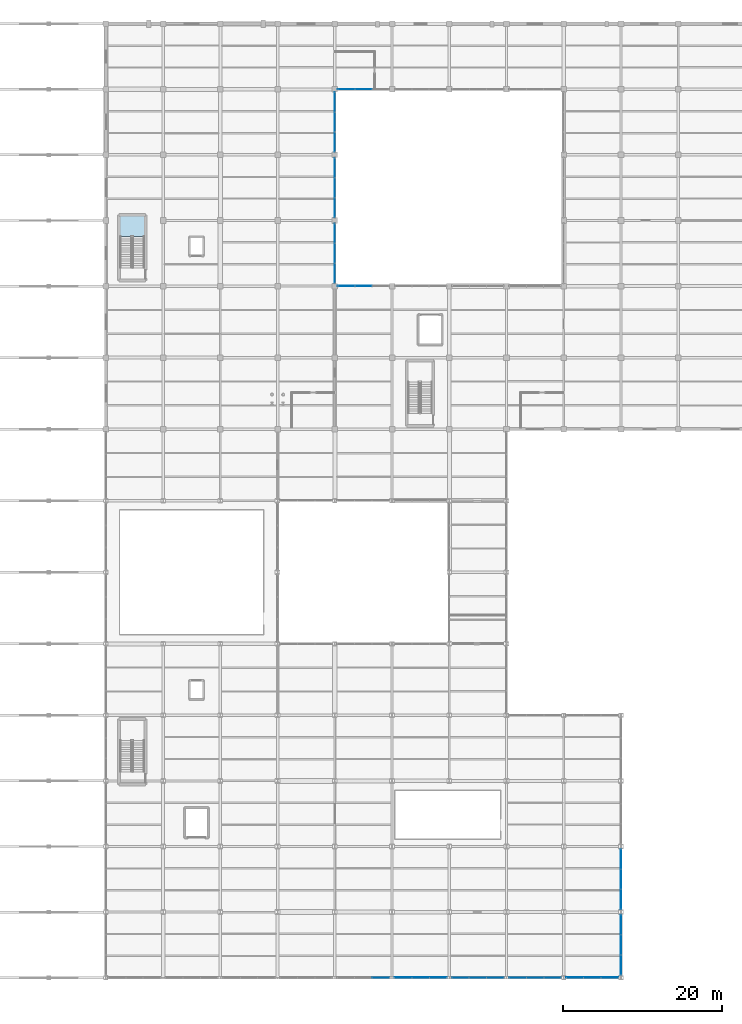
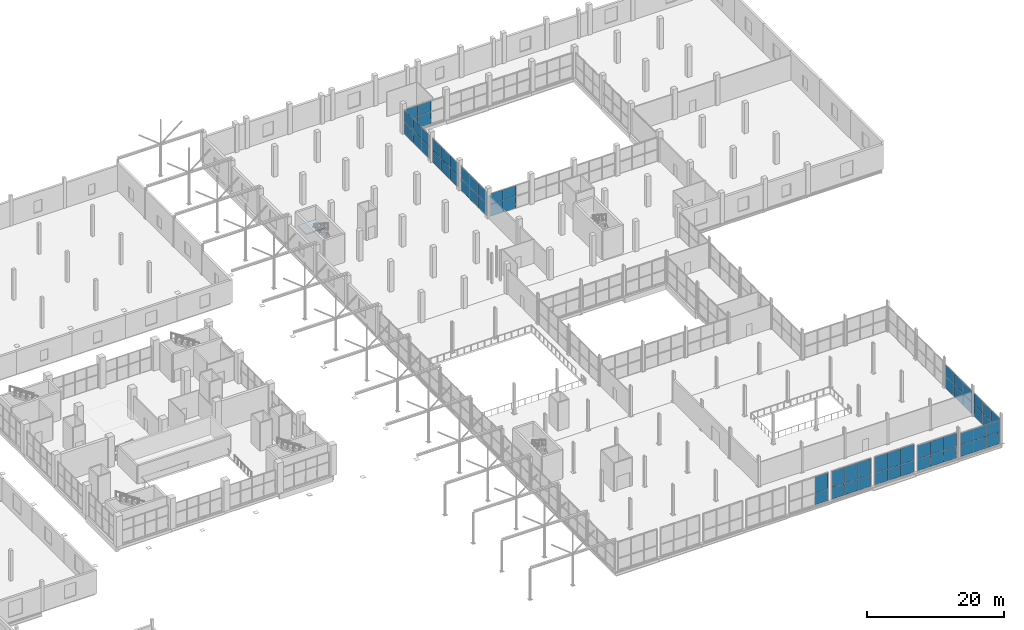
# One storey, part 117 of 147: 64 plates, 1 slab, 13 elements without a shape of their own.
"""IFC4 building model written with IfcOpenShell, lengths in metres."""

from ifc_helpers import new_model, si_unit, direction, frame, origin, origin_2d, place, context, subcontext, project, spatial, polyline, rectangle, outline, extrude, material, layer, layer_set, type_object, element, aggregate, save


model = new_model("IFC4")

# Units and contexts
model_context = context("Model", 3, precision=1e-05, world=origin(), true_north=direction((0.0, 1.0)))
body_context = subcontext(model_context, "Body", "Model", "MODEL_VIEW")
ifc_project = project(units=[si_unit("LENGTHUNIT", "METRE"), si_unit("AREAUNIT", "SQUARE_METRE"), si_unit("VOLUMEUNIT", "CUBIC_METRE"), si_unit("PLANEANGLEUNIT", "RADIAN"), si_unit("MASSUNIT", "GRAM", prefix="KILO")], contexts=[model_context])

# Site, building, storey
site_placement = place(None, origin())
site = spatial("IfcSite", under=ifc_project, at=site_placement, CompositionType="ELEMENT")
building_placement = place(site_placement, origin())
building = spatial("IfcBuilding", under=site, at=building_placement, Name="Sundgate Opera House", CompositionType="ELEMENT")
storey_placement = place(building_placement, frame((0.0, 0.0, 6.0)))
storey = spatial("IfcBuildingStorey", under=building, at=storey_placement, Name="L01", CompositionType="ELEMENT", Elevation=6.0)

# Curtain wall, plates
ifc_material_1 = material(Name="Anodized aluminium and low-iron glass", Category="aluminium")
ifc_layer_1 = layer(ifc_material_1, 0.159912109375)
ifc_layer_set_1 = layer_set([ifc_layer_1], Name="Anodized aluminium and low-iron glass")
curtain_wall_type_1 = type_object("IfcCurtainWallType", Name="CW-STUDIO-DARK", PredefinedType="NOTDEFINED", material=ifc_layer_set_1)
curtain_wall_1_placement = place(storey_placement, origin())
curtain_wall_1 = element("IfcCurtainWall", 1, at=curtain_wall_1_placement, inside=storey, type_object=curtain_wall_type_1, Name="L01 Curtain Wall CW094", PredefinedType="NOTDEFINED")
ifc_material_2 = material(Name="Low-iron triple acoustic glazing", Category="glass")
ifc_layer_2 = layer(ifc_material_2, 0.035888671875)
ifc_layer_set_2 = layer_set([ifc_layer_2], Name="Low-iron triple acoustic glazing")
plate_type_1 = type_object("IfcPlateType", Name="CWP-CLEAR-36", PredefinedType="CURTAIN_PANEL", material=ifc_layer_set_2)
plate_1_placement = place(storey_placement, frame((125.64990234375, 87.0, 0.02001953125), z_axis=(0.0, 0.0, 1.0), x_axis=(1.0, 0.0, 0.0)))
plate_1 = element("IfcPlate", 2, at=plate_1_placement, type_object=plate_type_1, Name="CW094 Panel 1", PredefinedType="CURTAIN_PANEL", context=body_context, shape_type="SweptSolid", body=[
    extrude(rectangle(XDim=2.110107421875, YDim=0.035888671875, at=origin_2d()), origin(), (0.0, 0.0, 1.0), 2.110107421875),
])
plate_2_placement = place(storey_placement, frame((125.64990234375, 87.0, 2.169921875), z_axis=(0.0, 0.0, 1.0), x_axis=(1.0, 0.0, 0.0)))
plate_2 = element("IfcPlate", 3, at=plate_2_placement, type_object=plate_type_1, Name="CW094 Panel 2", PredefinedType="CURTAIN_PANEL", context=body_context, shape_type="SweptSolid", body=[
    extrude(rectangle(XDim=2.110107421875, YDim=0.035888671875, at=origin_2d()), origin(), (0.0, 0.0, 1.0), 1.875),
])
plate_3_placement = place(storey_placement, frame((127.800048828125, 87.0, 0.02001953125), z_axis=(0.0, 0.0, 1.0), x_axis=(1.0, 0.0, 0.0)))
plate_3 = element("IfcPlate", 4, at=plate_3_placement, type_object=plate_type_1, Name="CW094 Panel 3", PredefinedType="CURTAIN_PANEL", context=body_context, shape_type="SweptSolid", body=[
    extrude(rectangle(XDim=2.110107421875, YDim=0.035888671875, at=origin_2d()), origin(), (0.0, 0.0, 1.0), 2.110107421875),
])
plate_4_placement = place(storey_placement, frame((127.800048828125, 87.0, 2.169921875), z_axis=(0.0, 0.0, 1.0), x_axis=(1.0, 0.0, 0.0)))
plate_4 = element("IfcPlate", 5, at=plate_4_placement, type_object=plate_type_1, Name="CW094 Panel 4", PredefinedType="CURTAIN_PANEL", context=body_context, shape_type="SweptSolid", body=[
    extrude(rectangle(XDim=2.110107421875, YDim=0.035888671875, at=origin_2d()), origin(), (0.0, 0.0, 1.0), 1.875),
])
aggregate(curtain_wall_1, [plate_1, plate_2, plate_3, plate_4])

curtain_wall_2_placement = place(storey_placement, origin())
curtain_wall_2 = element("IfcCurtainWall", 6, at=curtain_wall_2_placement, inside=storey, type_object=curtain_wall_type_1, Name="L01 Curtain Wall CW095", PredefinedType="NOTDEFINED")
plate_5_placement = place(storey_placement, frame((127.800048828125, 111.75, 0.02001953125), z_axis=(0.0, 0.0, 1.0), x_axis=(-1.0, 0.0, 0.0)))
plate_5 = element("IfcPlate", 7, at=plate_5_placement, type_object=plate_type_1, Name="CW095 Panel 3", PredefinedType="CURTAIN_PANEL", context=body_context, shape_type="SweptSolid", body=[
    extrude(rectangle(XDim=2.110107421875, YDim=0.035888671875, at=origin_2d()), origin(), (0.0, 0.0, 1.0), 2.110107421875),
])
plate_6_placement = place(storey_placement, frame((127.800048828125, 111.75, 2.169921875), z_axis=(0.0, 0.0, 1.0), x_axis=(-1.0, 0.0, 0.0)))
plate_6 = element("IfcPlate", 8, at=plate_6_placement, type_object=plate_type_1, Name="CW095 Panel 4", PredefinedType="CURTAIN_PANEL", context=body_context, shape_type="SweptSolid", body=[
    extrude(rectangle(XDim=2.110107421875, YDim=0.035888671875, at=origin_2d()), origin(), (0.0, 0.0, 1.0), 1.875),
])
plate_7_placement = place(storey_placement, frame((125.64990234375, 111.75, 0.02001953125), z_axis=(0.0, 0.0, 1.0), x_axis=(-1.0, 0.0, 0.0)))
plate_7 = element("IfcPlate", 9, at=plate_7_placement, type_object=plate_type_1, Name="CW095 Panel 5", PredefinedType="CURTAIN_PANEL", context=body_context, shape_type="SweptSolid", body=[
    extrude(rectangle(XDim=2.110107421875, YDim=0.035888671875, at=origin_2d()), origin(), (0.0, 0.0, 1.0), 2.110107421875),
])
plate_8_placement = place(storey_placement, frame((125.64990234375, 111.75, 2.169921875), z_axis=(0.0, 0.0, 1.0), x_axis=(-1.0, 0.0, 0.0)))
plate_8 = element("IfcPlate", 10, at=plate_8_placement, type_object=plate_type_1, Name="CW095 Panel 6", PredefinedType="CURTAIN_PANEL", context=body_context, shape_type="SweptSolid", body=[
    extrude(rectangle(XDim=2.110107421875, YDim=0.035888671875, at=origin_2d()), origin(), (0.0, 0.0, 1.0), 1.875),
])
aggregate(curtain_wall_2, [plate_5, plate_6, plate_7, plate_8])

curtain_wall_3_placement = place(storey_placement, origin())
curtain_wall_3 = element("IfcCurtainWall", 11, at=curtain_wall_3_placement, inside=storey, type_object=curtain_wall_type_1, Name="L01 Curtain Wall CW102", PredefinedType="NOTDEFINED")
plate_9_placement = place(storey_placement, frame((124.199951171875, 88.625, 0.02001953125), z_axis=(0.0, 0.0, 1.0), x_axis=(0.0, 1.0, 0.0)))
plate_9 = element("IfcPlate", 12, at=plate_9_placement, type_object=plate_type_1, Name="CW102 Panel 1", PredefinedType="CURTAIN_PANEL", context=body_context, shape_type="SweptSolid", body=[
    extrude(rectangle(XDim=2.4599609375, YDim=0.035888671875, at=origin_2d()), origin(), (0.0, 0.0, 1.0), 2.110107421875),
])
plate_10_placement = place(storey_placement, frame((124.199951171875, 88.625, 2.169921875), z_axis=(0.0, 0.0, 1.0), x_axis=(0.0, 1.0, 0.0)))
plate_10 = element("IfcPlate", 13, at=plate_10_placement, type_object=plate_type_1, Name="CW102 Panel 2", PredefinedType="CURTAIN_PANEL", context=body_context, shape_type="SweptSolid", body=[
    extrude(rectangle(XDim=2.4599609375, YDim=0.035888671875, at=origin_2d()), origin(), (0.0, 0.0, 1.0), 2.175048828125),
])
plate_11_placement = place(storey_placement, frame((124.199951171875, 91.125, 0.02001953125), z_axis=(0.0, 0.0, 1.0), x_axis=(0.0, 1.0, 0.0)))
plate_11 = element("IfcPlate", 14, at=plate_11_placement, type_object=plate_type_1, Name="CW102 Panel 3", PredefinedType="CURTAIN_PANEL", context=body_context, shape_type="SweptSolid", body=[
    extrude(rectangle(XDim=2.4599609375, YDim=0.035888671875, at=origin_2d()), origin(), (0.0, 0.0, 1.0), 2.110107421875),
])
plate_12_placement = place(storey_placement, frame((124.199951171875, 91.125, 2.169921875), z_axis=(0.0, 0.0, 1.0), x_axis=(0.0, 1.0, 0.0)))
plate_12 = element("IfcPlate", 15, at=plate_12_placement, type_object=plate_type_1, Name="CW102 Panel 4", PredefinedType="CURTAIN_PANEL", context=body_context, shape_type="SweptSolid", body=[
    extrude(rectangle(XDim=2.4599609375, YDim=0.035888671875, at=origin_2d()), origin(), (0.0, 0.0, 1.0), 2.175048828125),
])
plate_13_placement = place(storey_placement, frame((124.199951171875, 93.625, 0.02001953125), z_axis=(0.0, 0.0, 1.0), x_axis=(0.0, 1.0, 0.0)))
plate_13 = element("IfcPlate", 16, at=plate_13_placement, type_object=plate_type_1, Name="CW102 Panel 5", PredefinedType="CURTAIN_PANEL", context=body_context, shape_type="SweptSolid", body=[
    extrude(rectangle(XDim=2.4599609375, YDim=0.035888671875, at=origin_2d()), origin(), (0.0, 0.0, 1.0), 2.110107421875),
])
plate_14_placement = place(storey_placement, frame((124.199951171875, 93.625, 2.169921875), z_axis=(0.0, 0.0, 1.0), x_axis=(0.0, 1.0, 0.0)))
plate_14 = element("IfcPlate", 17, at=plate_14_placement, type_object=plate_type_1, Name="CW102 Panel 6", PredefinedType="CURTAIN_PANEL", context=body_context, shape_type="SweptSolid", body=[
    extrude(rectangle(XDim=2.4599609375, YDim=0.035888671875, at=origin_2d()), origin(), (0.0, 0.0, 1.0), 2.175048828125),
])
aggregate(curtain_wall_3, [plate_9, plate_10, plate_11, plate_12, plate_13, plate_14])

curtain_wall_4_placement = place(storey_placement, origin())
curtain_wall_4 = element("IfcCurtainWall", 18, at=curtain_wall_4_placement, inside=storey, type_object=curtain_wall_type_1, Name="L01 Curtain Wall CW104", PredefinedType="NOTDEFINED")
plate_15_placement = place(storey_placement, frame((124.199951171875, 96.875, 0.02001953125), z_axis=(0.0, 0.0, 1.0), x_axis=(0.0, 1.0, 0.0)))
plate_15 = element("IfcPlate", 19, at=plate_15_placement, type_object=plate_type_1, Name="CW104 Panel 1", PredefinedType="CURTAIN_PANEL", context=body_context, shape_type="SweptSolid", body=[
    extrude(rectangle(XDim=2.4599609375, YDim=0.035888671875, at=origin_2d()), origin(), (0.0, 0.0, 1.0), 2.110107421875),
])
plate_16_placement = place(storey_placement, frame((124.199951171875, 96.875, 2.169921875), z_axis=(0.0, 0.0, 1.0), x_axis=(0.0, 1.0, 0.0)))
plate_16 = element("IfcPlate", 20, at=plate_16_placement, type_object=plate_type_1, Name="CW104 Panel 2", PredefinedType="CURTAIN_PANEL", context=body_context, shape_type="SweptSolid", body=[
    extrude(rectangle(XDim=2.4599609375, YDim=0.035888671875, at=origin_2d()), origin(), (0.0, 0.0, 1.0), 2.125),
])
plate_17_placement = place(storey_placement, frame((124.199951171875, 99.375, 0.02001953125), z_axis=(0.0, 0.0, 1.0), x_axis=(0.0, 1.0, 0.0)))
plate_17 = element("IfcPlate", 21, at=plate_17_placement, type_object=plate_type_1, Name="CW104 Panel 3", PredefinedType="CURTAIN_PANEL", context=body_context, shape_type="SweptSolid", body=[
    extrude(rectangle(XDim=2.4599609375, YDim=0.035888671875, at=origin_2d()), origin(), (0.0, 0.0, 1.0), 2.110107421875),
])
plate_18_placement = place(storey_placement, frame((124.199951171875, 99.375, 2.169921875), z_axis=(0.0, 0.0, 1.0), x_axis=(0.0, 1.0, 0.0)))
plate_18 = element("IfcPlate", 22, at=plate_18_placement, type_object=plate_type_1, Name="CW104 Panel 4", PredefinedType="CURTAIN_PANEL", context=body_context, shape_type="SweptSolid", body=[
    extrude(rectangle(XDim=2.4599609375, YDim=0.035888671875, at=origin_2d()), origin(), (0.0, 0.0, 1.0), 2.125),
])
plate_19_placement = place(storey_placement, frame((124.199951171875, 101.875, 0.02001953125), z_axis=(0.0, 0.0, 1.0), x_axis=(0.0, 1.0, 0.0)))
plate_19 = element("IfcPlate", 23, at=plate_19_placement, type_object=plate_type_1, Name="CW104 Panel 5", PredefinedType="CURTAIN_PANEL", context=body_context, shape_type="SweptSolid", body=[
    extrude(rectangle(XDim=2.4599609375, YDim=0.035888671875, at=origin_2d()), origin(), (0.0, 0.0, 1.0), 2.110107421875),
])
plate_20_placement = place(storey_placement, frame((124.199951171875, 101.875, 2.169921875), z_axis=(0.0, 0.0, 1.0), x_axis=(0.0, 1.0, 0.0)))
plate_20 = element("IfcPlate", 24, at=plate_20_placement, type_object=plate_type_1, Name="CW104 Panel 6", PredefinedType="CURTAIN_PANEL", context=body_context, shape_type="SweptSolid", body=[
    extrude(rectangle(XDim=2.4599609375, YDim=0.035888671875, at=origin_2d()), origin(), (0.0, 0.0, 1.0), 2.125),
])
aggregate(curtain_wall_4, [plate_15, plate_16, plate_17, plate_18, plate_19, plate_20])

curtain_wall_5_placement = place(storey_placement, origin())
curtain_wall_5 = element("IfcCurtainWall", 25, at=curtain_wall_5_placement, inside=storey, type_object=curtain_wall_type_1, Name="L01 Curtain Wall CW106", PredefinedType="NOTDEFINED")
plate_21_placement = place(storey_placement, frame((124.199951171875, 105.125, 0.02001953125), z_axis=(0.0, 0.0, 1.0), x_axis=(0.0, 1.0, 0.0)))
plate_21 = element("IfcPlate", 26, at=plate_21_placement, type_object=plate_type_1, Name="CW106 Panel 1", PredefinedType="CURTAIN_PANEL", context=body_context, shape_type="SweptSolid", body=[
    extrude(rectangle(XDim=2.4599609375, YDim=0.035888671875, at=origin_2d()), origin(), (0.0, 0.0, 1.0), 2.110107421875),
])
plate_22_placement = place(storey_placement, frame((124.199951171875, 105.125, 2.169921875), z_axis=(0.0, 0.0, 1.0), x_axis=(0.0, 1.0, 0.0)))
plate_22 = element("IfcPlate", 27, at=plate_22_placement, type_object=plate_type_1, Name="CW106 Panel 2", PredefinedType="CURTAIN_PANEL", context=body_context, shape_type="SweptSolid", body=[
    extrude(rectangle(XDim=2.4599609375, YDim=0.035888671875, at=origin_2d()), origin(), (0.0, 0.0, 1.0), 2.125),
])
plate_23_placement = place(storey_placement, frame((124.199951171875, 107.625, 0.02001953125), z_axis=(0.0, 0.0, 1.0), x_axis=(0.0, 1.0, 0.0)))
plate_23 = element("IfcPlate", 28, at=plate_23_placement, type_object=plate_type_1, Name="CW106 Panel 3", PredefinedType="CURTAIN_PANEL", context=body_context, shape_type="SweptSolid", body=[
    extrude(rectangle(XDim=2.4599609375, YDim=0.035888671875, at=origin_2d()), origin(), (0.0, 0.0, 1.0), 2.110107421875),
])
plate_24_placement = place(storey_placement, frame((124.199951171875, 107.625, 2.169921875), z_axis=(0.0, 0.0, 1.0), x_axis=(0.0, 1.0, 0.0)))
plate_24 = element("IfcPlate", 29, at=plate_24_placement, type_object=plate_type_1, Name="CW106 Panel 4", PredefinedType="CURTAIN_PANEL", context=body_context, shape_type="SweptSolid", body=[
    extrude(rectangle(XDim=2.4599609375, YDim=0.035888671875, at=origin_2d()), origin(), (0.0, 0.0, 1.0), 2.125),
])
plate_25_placement = place(storey_placement, frame((124.199951171875, 110.125, 0.02001953125), z_axis=(0.0, 0.0, 1.0), x_axis=(0.0, 1.0, 0.0)))
plate_25 = element("IfcPlate", 30, at=plate_25_placement, type_object=plate_type_1, Name="CW106 Panel 5", PredefinedType="CURTAIN_PANEL", context=body_context, shape_type="SweptSolid", body=[
    extrude(rectangle(XDim=2.4599609375, YDim=0.035888671875, at=origin_2d()), origin(), (0.0, 0.0, 1.0), 2.110107421875),
])
plate_26_placement = place(storey_placement, frame((124.199951171875, 110.125, 2.169921875), z_axis=(0.0, 0.0, 1.0), x_axis=(0.0, 1.0, 0.0)))
plate_26 = element("IfcPlate", 31, at=plate_26_placement, type_object=plate_type_1, Name="CW106 Panel 6", PredefinedType="CURTAIN_PANEL", context=body_context, shape_type="SweptSolid", body=[
    extrude(rectangle(XDim=2.4599609375, YDim=0.035888671875, at=origin_2d()), origin(), (0.0, 0.0, 1.0), 2.125),
])
aggregate(curtain_wall_5, [plate_21, plate_22, plate_23, plate_24, plate_25, plate_26])

ifc_material_3 = material(Name="Anodized aluminium and low-iron glass", Category="aluminium")
ifc_layer_3 = layer(ifc_material_3, 0.14990234375)
ifc_layer_set_3 = layer_set([ifc_layer_3], Name="Anodized aluminium and low-iron glass")
curtain_wall_type_2 = type_object("IfcCurtainWallType", Name="CW-WORKSHOP-DARK", PredefinedType="NOTDEFINED", material=ifc_layer_set_3)
curtain_wall_6_placement = place(storey_placement, origin())
curtain_wall_6 = element("IfcCurtainWall", 32, at=curtain_wall_6_placement, inside=storey, type_object=curtain_wall_type_2, Name="L01 Curtain Wall CW139", PredefinedType="NOTDEFINED")
ifc_material_4 = material(Name="Dark solar-control triple acoustic glazing", Category="glass")
ifc_layer_4 = layer(ifc_material_4, 0.031982421875)
ifc_layer_set_4 = layer_set([ifc_layer_4], Name="Dark solar-control triple acoustic glazing")
plate_type_2 = type_object("IfcPlateType", Name="CWP-DARK-32", PredefinedType="CURTAIN_PANEL", material=ifc_layer_set_4)
plate_27_placement = place(storey_placement, frame((129.9833984375, 0.0, 0.02001953125), z_axis=(0.0, 0.0, 1.0), x_axis=(-1.0, 0.0, 0.0)))
plate_27 = element("IfcPlate", 33, at=plate_27_placement, type_object=plate_type_2, Name="CW139 Panel 1", PredefinedType="CURTAIN_PANEL", context=body_context, shape_type="SweptSolid", body=[
    extrude(rectangle(XDim=2.143310546875, YDim=0.031982421875, at=origin_2d()), origin(), (0.0, 0.0, 1.0), 2.06005859375),
])
plate_28_placement = place(storey_placement, frame((129.9833984375, 0.0, 2.1201171875), z_axis=(0.0, 0.0, 1.0), x_axis=(-1.0, 0.0, 0.0)))
plate_28 = element("IfcPlate", 34, at=plate_28_placement, type_object=plate_type_2, Name="CW139 Panel 2", PredefinedType="CURTAIN_PANEL", context=body_context, shape_type="SweptSolid", body=[
    extrude(rectangle(XDim=2.143310546875, YDim=0.031982421875, at=origin_2d()), origin(), (0.0, 0.0, 1.0), 2.875),
])
aggregate(curtain_wall_6, [plate_27, plate_28])

curtain_wall_7_placement = place(storey_placement, origin())
curtain_wall_7 = element("IfcCurtainWall", 35, at=curtain_wall_7_placement, inside=storey, type_object=curtain_wall_type_2, Name="L01 Curtain Wall CW141", PredefinedType="NOTDEFINED")
plate_29_placement = place(storey_placement, frame((144.38330078125, 0.0, 0.02001953125), z_axis=(0.0, 0.0, 1.0), x_axis=(-1.0, 0.0, 0.0)))
plate_29 = element("IfcPlate", 36, at=plate_29_placement, type_object=plate_type_2, Name="CW141 Panel 1", PredefinedType="CURTAIN_PANEL", context=body_context, shape_type="SweptSolid", body=[
    extrude(rectangle(XDim=2.143310546875, YDim=0.031982421875, at=origin_2d()), origin(), (0.0, 0.0, 1.0), 2.06005859375),
])
plate_30_placement = place(storey_placement, frame((144.38330078125, 0.0, 2.1201171875), z_axis=(0.0, 0.0, 1.0), x_axis=(-1.0, 0.0, 0.0)))
plate_30 = element("IfcPlate", 37, at=plate_30_placement, type_object=plate_type_2, Name="CW141 Panel 2", PredefinedType="CURTAIN_PANEL", context=body_context, shape_type="SweptSolid", body=[
    extrude(rectangle(XDim=2.143310546875, YDim=0.031982421875, at=origin_2d()), origin(), (0.0, 0.0, 1.0), 2.875),
])
plate_31_placement = place(storey_placement, frame((142.199951171875, 0.0, 0.02001953125), z_axis=(0.0, 0.0, 1.0), x_axis=(-1.0, 0.0, 0.0)))
plate_31 = element("IfcPlate", 38, at=plate_31_placement, type_object=plate_type_2, Name="CW141 Panel 3", PredefinedType="CURTAIN_PANEL", context=body_context, shape_type="SweptSolid", body=[
    extrude(rectangle(XDim=2.143310546875, YDim=0.031982421875, at=origin_2d()), origin(), (0.0, 0.0, 1.0), 2.06005859375),
])
plate_32_placement = place(storey_placement, frame((142.199951171875, 0.0, 2.1201171875), z_axis=(0.0, 0.0, 1.0), x_axis=(-1.0, 0.0, 0.0)))
plate_32 = element("IfcPlate", 39, at=plate_32_placement, type_object=plate_type_2, Name="CW141 Panel 4", PredefinedType="CURTAIN_PANEL", context=body_context, shape_type="SweptSolid", body=[
    extrude(rectangle(XDim=2.143310546875, YDim=0.031982421875, at=origin_2d()), origin(), (0.0, 0.0, 1.0), 2.875),
])
plate_33_placement = place(storey_placement, frame((140.0166015625, 0.0, 0.02001953125), z_axis=(0.0, 0.0, 1.0), x_axis=(-1.0, 0.0, 0.0)))
plate_33 = element("IfcPlate", 40, at=plate_33_placement, type_object=plate_type_2, Name="CW141 Panel 5", PredefinedType="CURTAIN_PANEL", context=body_context, shape_type="SweptSolid", body=[
    extrude(rectangle(XDim=2.143310546875, YDim=0.031982421875, at=origin_2d()), origin(), (0.0, 0.0, 1.0), 2.06005859375),
])
plate_34_placement = place(storey_placement, frame((140.0166015625, 0.0, 2.1201171875), z_axis=(0.0, 0.0, 1.0), x_axis=(-1.0, 0.0, 0.0)))
plate_34 = element("IfcPlate", 41, at=plate_34_placement, type_object=plate_type_2, Name="CW141 Panel 6", PredefinedType="CURTAIN_PANEL", context=body_context, shape_type="SweptSolid", body=[
    extrude(rectangle(XDim=2.143310546875, YDim=0.031982421875, at=origin_2d()), origin(), (0.0, 0.0, 1.0), 2.875),
])
aggregate(curtain_wall_7, [plate_29, plate_30, plate_31, plate_32, plate_33, plate_34])

curtain_wall_8_placement = place(storey_placement, origin())
curtain_wall_8 = element("IfcCurtainWall", 42, at=curtain_wall_8_placement, inside=storey, type_object=curtain_wall_type_2, Name="L01 Curtain Wall CW142", PredefinedType="NOTDEFINED")
plate_35_placement = place(storey_placement, frame((151.583251953125, 0.0, 0.02001953125), z_axis=(0.0, 0.0, 1.0), x_axis=(-1.0, 0.0, 0.0)))
plate_35 = element("IfcPlate", 43, at=plate_35_placement, type_object=plate_type_2, Name="CW142 Panel 1", PredefinedType="CURTAIN_PANEL", context=body_context, shape_type="SweptSolid", body=[
    extrude(rectangle(XDim=2.143310546875, YDim=0.031982421875, at=origin_2d()), origin(), (0.0, 0.0, 1.0), 2.06005859375),
])
plate_36_placement = place(storey_placement, frame((151.583251953125, 0.0, 2.119873046875), z_axis=(0.0, 0.0, 1.0), x_axis=(-1.0, 0.0, 0.0)))
plate_36 = element("IfcPlate", 44, at=plate_36_placement, type_object=plate_type_2, Name="CW142 Panel 2", PredefinedType="CURTAIN_PANEL", context=body_context, shape_type="SweptSolid", body=[
    extrude(rectangle(XDim=2.143310546875, YDim=0.031982421875, at=origin_2d()), origin(), (0.0, 0.0, 1.0), 2.39501953125),
])
plate_37_placement = place(storey_placement, frame((149.39990234375, 0.0, 0.02001953125), z_axis=(0.0, 0.0, 1.0), x_axis=(-1.0, 0.0, 0.0)))
plate_37 = element("IfcPlate", 45, at=plate_37_placement, type_object=plate_type_2, Name="CW142 Panel 3", PredefinedType="CURTAIN_PANEL", context=body_context, shape_type="SweptSolid", body=[
    extrude(rectangle(XDim=2.143310546875, YDim=0.031982421875, at=origin_2d()), origin(), (0.0, 0.0, 1.0), 2.06005859375),
])
plate_38_placement = place(storey_placement, frame((149.39990234375, 0.0, 2.119873046875), z_axis=(0.0, 0.0, 1.0), x_axis=(-1.0, 0.0, 0.0)))
plate_38 = element("IfcPlate", 46, at=plate_38_placement, type_object=plate_type_2, Name="CW142 Panel 4", PredefinedType="CURTAIN_PANEL", context=body_context, shape_type="SweptSolid", body=[
    extrude(rectangle(XDim=2.143310546875, YDim=0.031982421875, at=origin_2d()), origin(), (0.0, 0.0, 1.0), 2.39501953125),
])
plate_39_placement = place(storey_placement, frame((147.216552734375, 0.0, 0.02001953125), z_axis=(0.0, 0.0, 1.0), x_axis=(-1.0, 0.0, 0.0)))
plate_39 = element("IfcPlate", 47, at=plate_39_placement, type_object=plate_type_2, Name="CW142 Panel 5", PredefinedType="CURTAIN_PANEL", context=body_context, shape_type="SweptSolid", body=[
    extrude(rectangle(XDim=2.143310546875, YDim=0.031982421875, at=origin_2d()), origin(), (0.0, 0.0, 1.0), 2.06005859375),
])
plate_40_placement = place(storey_placement, frame((147.216552734375, 0.0, 2.119873046875), z_axis=(0.0, 0.0, 1.0), x_axis=(-1.0, 0.0, 0.0)))
plate_40 = element("IfcPlate", 48, at=plate_40_placement, type_object=plate_type_2, Name="CW142 Panel 6", PredefinedType="CURTAIN_PANEL", context=body_context, shape_type="SweptSolid", body=[
    extrude(rectangle(XDim=2.143310546875, YDim=0.031982421875, at=origin_2d()), origin(), (0.0, 0.0, 1.0), 2.39501953125),
])
aggregate(curtain_wall_8, [plate_35, plate_36, plate_37, plate_38, plate_39, plate_40])

curtain_wall_9_placement = place(storey_placement, origin())
curtain_wall_9 = element("IfcCurtainWall", 49, at=curtain_wall_9_placement, inside=storey, type_object=curtain_wall_type_2, Name="L01 Curtain Wall CW148", PredefinedType="NOTDEFINED")
plate_41_placement = place(storey_placement, frame((160.199951171875, 1.591552734375, 0.02001953125), z_axis=(0.0, 0.0, 1.0), x_axis=(0.0, 1.0, 0.0)))
plate_41 = element("IfcPlate", 50, at=plate_41_placement, type_object=plate_type_2, Name="CW148 Panel 1", PredefinedType="CURTAIN_PANEL", context=body_context, shape_type="SweptSolid", body=[
    extrude(rectangle(XDim=2.493408203125, YDim=0.031982421875, at=origin_2d()), origin(), (0.0, 0.0, 1.0), 2.06005859375),
])
plate_42_placement = place(storey_placement, frame((160.199951171875, 1.591552734375, 2.1201171875), z_axis=(0.0, 0.0, 1.0), x_axis=(0.0, 1.0, 0.0)))
plate_42 = element("IfcPlate", 51, at=plate_42_placement, type_object=plate_type_2, Name="CW148 Panel 2", PredefinedType="CURTAIN_PANEL", context=body_context, shape_type="SweptSolid", body=[
    extrude(rectangle(XDim=2.493408203125, YDim=0.031982421875, at=origin_2d()), origin(), (0.0, 0.0, 1.0), 2.044921875),
])
plate_43_placement = place(storey_placement, frame((160.199951171875, 4.125, 0.02001953125), z_axis=(0.0, 0.0, 1.0), x_axis=(0.0, 1.0, 0.0)))
plate_43 = element("IfcPlate", 52, at=plate_43_placement, type_object=plate_type_2, Name="CW148 Panel 3", PredefinedType="CURTAIN_PANEL", context=body_context, shape_type="SweptSolid", body=[
    extrude(rectangle(XDim=2.493408203125, YDim=0.031982421875, at=origin_2d()), origin(), (0.0, 0.0, 1.0), 2.06005859375),
])
plate_44_placement = place(storey_placement, frame((160.199951171875, 4.125, 2.1201171875), z_axis=(0.0, 0.0, 1.0), x_axis=(0.0, 1.0, 0.0)))
plate_44 = element("IfcPlate", 53, at=plate_44_placement, type_object=plate_type_2, Name="CW148 Panel 4", PredefinedType="CURTAIN_PANEL", context=body_context, shape_type="SweptSolid", body=[
    extrude(rectangle(XDim=2.493408203125, YDim=0.031982421875, at=origin_2d()), origin(), (0.0, 0.0, 1.0), 2.044921875),
])
plate_45_placement = place(storey_placement, frame((160.199951171875, 6.658447265625, 0.02001953125), z_axis=(0.0, 0.0, 1.0), x_axis=(0.0, 1.0, 0.0)))
plate_45 = element("IfcPlate", 54, at=plate_45_placement, type_object=plate_type_2, Name="CW148 Panel 5", PredefinedType="CURTAIN_PANEL", context=body_context, shape_type="SweptSolid", body=[
    extrude(rectangle(XDim=2.493408203125, YDim=0.031982421875, at=origin_2d()), origin(), (0.0, 0.0, 1.0), 2.06005859375),
])
plate_46_placement = place(storey_placement, frame((160.199951171875, 6.658447265625, 2.1201171875), z_axis=(0.0, 0.0, 1.0), x_axis=(0.0, 1.0, 0.0)))
plate_46 = element("IfcPlate", 55, at=plate_46_placement, type_object=plate_type_2, Name="CW148 Panel 6", PredefinedType="CURTAIN_PANEL", context=body_context, shape_type="SweptSolid", body=[
    extrude(rectangle(XDim=2.493408203125, YDim=0.031982421875, at=origin_2d()), origin(), (0.0, 0.0, 1.0), 2.044921875),
])
aggregate(curtain_wall_9, [plate_41, plate_42, plate_43, plate_44, plate_45, plate_46])

curtain_wall_10_placement = place(storey_placement, origin())
curtain_wall_10 = element("IfcCurtainWall", 56, at=curtain_wall_10_placement, inside=storey, type_object=curtain_wall_type_2, Name="L01 Curtain Wall CW149", PredefinedType="NOTDEFINED")
plate_47_placement = place(storey_placement, frame((160.199951171875, 9.841552734375, 0.02001953125), z_axis=(0.0, 0.0, 1.0), x_axis=(0.0, 1.0, 0.0)))
plate_47 = element("IfcPlate", 57, at=plate_47_placement, type_object=plate_type_2, Name="CW149 Panel 1", PredefinedType="CURTAIN_PANEL", context=body_context, shape_type="SweptSolid", body=[
    extrude(rectangle(XDim=2.493408203125, YDim=0.031982421875, at=origin_2d()), origin(), (0.0, 0.0, 1.0), 2.06005859375),
])
plate_48_placement = place(storey_placement, frame((160.199951171875, 9.841552734375, 2.1201171875), z_axis=(0.0, 0.0, 1.0), x_axis=(0.0, 1.0, 0.0)))
plate_48 = element("IfcPlate", 58, at=plate_48_placement, type_object=plate_type_2, Name="CW149 Panel 2", PredefinedType="CURTAIN_PANEL", context=body_context, shape_type="SweptSolid", body=[
    extrude(rectangle(XDim=2.493408203125, YDim=0.031982421875, at=origin_2d()), origin(), (0.0, 0.0, 1.0), 2.044921875),
])
plate_49_placement = place(storey_placement, frame((160.199951171875, 12.375, 0.02001953125), z_axis=(0.0, 0.0, 1.0), x_axis=(0.0, 1.0, 0.0)))
plate_49 = element("IfcPlate", 59, at=plate_49_placement, type_object=plate_type_2, Name="CW149 Panel 3", PredefinedType="CURTAIN_PANEL", context=body_context, shape_type="SweptSolid", body=[
    extrude(rectangle(XDim=2.493408203125, YDim=0.031982421875, at=origin_2d()), origin(), (0.0, 0.0, 1.0), 2.06005859375),
])
plate_50_placement = place(storey_placement, frame((160.199951171875, 12.375, 2.1201171875), z_axis=(0.0, 0.0, 1.0), x_axis=(0.0, 1.0, 0.0)))
plate_50 = element("IfcPlate", 60, at=plate_50_placement, type_object=plate_type_2, Name="CW149 Panel 4", PredefinedType="CURTAIN_PANEL", context=body_context, shape_type="SweptSolid", body=[
    extrude(rectangle(XDim=2.493408203125, YDim=0.031982421875, at=origin_2d()), origin(), (0.0, 0.0, 1.0), 2.044921875),
])
plate_51_placement = place(storey_placement, frame((160.199951171875, 14.908447265625, 0.02001953125), z_axis=(0.0, 0.0, 1.0), x_axis=(0.0, 1.0, 0.0)))
plate_51 = element("IfcPlate", 61, at=plate_51_placement, type_object=plate_type_2, Name="CW149 Panel 5", PredefinedType="CURTAIN_PANEL", context=body_context, shape_type="SweptSolid", body=[
    extrude(rectangle(XDim=2.493408203125, YDim=0.031982421875, at=origin_2d()), origin(), (0.0, 0.0, 1.0), 2.06005859375),
])
plate_52_placement = place(storey_placement, frame((160.199951171875, 14.908447265625, 2.1201171875), z_axis=(0.0, 0.0, 1.0), x_axis=(0.0, 1.0, 0.0)))
plate_52 = element("IfcPlate", 62, at=plate_52_placement, type_object=plate_type_2, Name="CW149 Panel 6", PredefinedType="CURTAIN_PANEL", context=body_context, shape_type="SweptSolid", body=[
    extrude(rectangle(XDim=2.493408203125, YDim=0.031982421875, at=origin_2d()), origin(), (0.0, 0.0, 1.0), 2.044921875),
])
aggregate(curtain_wall_10, [plate_47, plate_48, plate_49, plate_50, plate_51, plate_52])

curtain_wall_11_placement = place(storey_placement, origin())
curtain_wall_11 = element("IfcCurtainWall", 63, at=curtain_wall_11_placement, inside=storey, type_object=curtain_wall_type_2, Name="L01 Curtain Wall CW140", PredefinedType="NOTDEFINED")
ifc_material_5 = material(Name="Vitrified stoneware trencadis spandrel panel", Category="masonry")
ifc_layer_5 = layer(ifc_material_5, 0.0419921875)
ifc_layer_set_5 = layer_set([ifc_layer_5], Name="Vitrified stoneware trencadis spandrel panel")
plate_type_3 = type_object("IfcPlateType", Name="CWP-SPAND-42", PredefinedType="CURTAIN_PANEL", material=ifc_layer_set_5)
plate_53_placement = place(storey_placement, frame((137.183349609375, 0.0, 0.02001953125), z_axis=(0.0, 0.0, 1.0), x_axis=(-1.0, 0.0, 0.0)))
plate_53 = element("IfcPlate", 64, at=plate_53_placement, type_object=plate_type_3, Name="CW140 Panel 1", PredefinedType="CURTAIN_PANEL", context=body_context, shape_type="SweptSolid", body=[
    extrude(rectangle(XDim=2.143310546875, YDim=0.0419921875, at=origin_2d()), origin(), (0.0, 0.0, 1.0), 2.06005859375),
])
plate_54_placement = place(storey_placement, frame((137.183349609375, 0.0, 2.1201171875), z_axis=(0.0, 0.0, 1.0), x_axis=(-1.0, 0.0, 0.0)))
plate_54 = element("IfcPlate", 65, at=plate_54_placement, type_object=plate_type_3, Name="CW140 Panel 2", PredefinedType="CURTAIN_PANEL", context=body_context, shape_type="SweptSolid", body=[
    extrude(rectangle(XDim=2.143310546875, YDim=0.0419921875, at=origin_2d()), origin(), (0.0, 0.0, 1.0), 2.875),
])
plate_55_placement = place(storey_placement, frame((135.0, 0.0, 0.02001953125), z_axis=(0.0, 0.0, 1.0), x_axis=(-1.0, 0.0, 0.0)))
plate_55 = element("IfcPlate", 66, at=plate_55_placement, type_object=plate_type_3, Name="CW140 Panel 3", PredefinedType="CURTAIN_PANEL", context=body_context, shape_type="SweptSolid", body=[
    extrude(rectangle(XDim=2.143310546875, YDim=0.0419921875, at=origin_2d()), origin(), (0.0, 0.0, 1.0), 2.06005859375),
])
plate_56_placement = place(storey_placement, frame((135.0, 0.0, 2.1201171875), z_axis=(0.0, 0.0, 1.0), x_axis=(-1.0, 0.0, 0.0)))
plate_56 = element("IfcPlate", 67, at=plate_56_placement, type_object=plate_type_3, Name="CW140 Panel 4", PredefinedType="CURTAIN_PANEL", context=body_context, shape_type="SweptSolid", body=[
    extrude(rectangle(XDim=2.143310546875, YDim=0.0419921875, at=origin_2d()), origin(), (0.0, 0.0, 1.0), 2.875),
])
plate_57_placement = place(storey_placement, frame((132.816650390625, 0.0, 0.02001953125), z_axis=(0.0, 0.0, 1.0), x_axis=(-1.0, 0.0, 0.0)))
plate_57 = element("IfcPlate", 68, at=plate_57_placement, type_object=plate_type_3, Name="CW140 Panel 5", PredefinedType="CURTAIN_PANEL", context=body_context, shape_type="SweptSolid", body=[
    extrude(rectangle(XDim=2.143310546875, YDim=0.0419921875, at=origin_2d()), origin(), (0.0, 0.0, 1.0), 2.06005859375),
])
plate_58_placement = place(storey_placement, frame((132.816650390625, 0.0, 2.1201171875), z_axis=(0.0, 0.0, 1.0), x_axis=(-1.0, 0.0, 0.0)))
plate_58 = element("IfcPlate", 69, at=plate_58_placement, type_object=plate_type_3, Name="CW140 Panel 6", PredefinedType="CURTAIN_PANEL", context=body_context, shape_type="SweptSolid", body=[
    extrude(rectangle(XDim=2.143310546875, YDim=0.0419921875, at=origin_2d()), origin(), (0.0, 0.0, 1.0), 2.875),
])
aggregate(curtain_wall_11, [plate_53, plate_54, plate_55, plate_56, plate_57, plate_58])

curtain_wall_12_placement = place(storey_placement, origin())
curtain_wall_12 = element("IfcCurtainWall", 70, at=curtain_wall_12_placement, inside=storey, type_object=curtain_wall_type_2, Name="L01 Curtain Wall CW143", PredefinedType="NOTDEFINED")
plate_59_placement = place(storey_placement, frame((158.783447265625, 0.0, 0.02001953125), z_axis=(0.0, 0.0, 1.0), x_axis=(-1.0, 0.0, 0.0)))
plate_59 = element("IfcPlate", 71, at=plate_59_placement, type_object=plate_type_3, Name="CW143 Panel 1", PredefinedType="CURTAIN_PANEL", context=body_context, shape_type="SweptSolid", body=[
    extrude(rectangle(XDim=2.143310546875, YDim=0.0419921875, at=origin_2d()), origin(), (0.0, 0.0, 1.0), 2.06005859375),
])
plate_60_placement = place(storey_placement, frame((158.783447265625, 0.0, 2.1201171875), z_axis=(0.0, 0.0, 1.0), x_axis=(-1.0, 0.0, 0.0)))
plate_60 = element("IfcPlate", 72, at=plate_60_placement, type_object=plate_type_3, Name="CW143 Panel 2", PredefinedType="CURTAIN_PANEL", context=body_context, shape_type="SweptSolid", body=[
    extrude(rectangle(XDim=2.143310546875, YDim=0.0419921875, at=origin_2d()), origin(), (0.0, 0.0, 1.0), 2.044921875),
])
plate_61_placement = place(storey_placement, frame((156.60009765625, 0.0, 0.02001953125), z_axis=(0.0, 0.0, 1.0), x_axis=(-1.0, 0.0, 0.0)))
plate_61 = element("IfcPlate", 73, at=plate_61_placement, type_object=plate_type_3, Name="CW143 Panel 3", PredefinedType="CURTAIN_PANEL", context=body_context, shape_type="SweptSolid", body=[
    extrude(rectangle(XDim=2.143310546875, YDim=0.0419921875, at=origin_2d()), origin(), (0.0, 0.0, 1.0), 2.06005859375),
])
plate_62_placement = place(storey_placement, frame((156.60009765625, 0.0, 2.1201171875), z_axis=(0.0, 0.0, 1.0), x_axis=(-1.0, 0.0, 0.0)))
plate_62 = element("IfcPlate", 74, at=plate_62_placement, type_object=plate_type_3, Name="CW143 Panel 4", PredefinedType="CURTAIN_PANEL", context=body_context, shape_type="SweptSolid", body=[
    extrude(rectangle(XDim=2.143310546875, YDim=0.0419921875, at=origin_2d()), origin(), (0.0, 0.0, 1.0), 2.044921875),
])
plate_63_placement = place(storey_placement, frame((154.416748046875, 0.0, 0.02001953125), z_axis=(0.0, 0.0, 1.0), x_axis=(-1.0, 0.0, 0.0)))
plate_63 = element("IfcPlate", 75, at=plate_63_placement, type_object=plate_type_3, Name="CW143 Panel 5", PredefinedType="CURTAIN_PANEL", context=body_context, shape_type="SweptSolid", body=[
    extrude(rectangle(XDim=2.143310546875, YDim=0.0419921875, at=origin_2d()), origin(), (0.0, 0.0, 1.0), 2.06005859375),
])
plate_64_placement = place(storey_placement, frame((154.416748046875, 0.0, 2.1201171875), z_axis=(0.0, 0.0, 1.0), x_axis=(-1.0, 0.0, 0.0)))
plate_64 = element("IfcPlate", 76, at=plate_64_placement, type_object=plate_type_3, Name="CW143 Panel 6", PredefinedType="CURTAIN_PANEL", context=body_context, shape_type="SweptSolid", body=[
    extrude(rectangle(XDim=2.143310546875, YDim=0.0419921875, at=origin_2d()), origin(), (0.0, 0.0, 1.0), 2.044921875),
])
aggregate(curtain_wall_12, [plate_59, plate_60, plate_61, plate_62, plate_63, plate_64])

# Stair, slab
ifc_material_6 = material(Name="Concrete C35/45", Category="concrete")
stair_type = type_object("IfcStairType", Name="ST-HT-30R-1450", PredefinedType="HALF_TURN_STAIR", material=ifc_material_6)
stair_placement = place(storey_placement, origin())
stair = element("IfcStair", 77, at=stair_placement, inside=storey, type_object=stair_type, Name="L01 Escape Stair ST-05", PredefinedType="HALF_TURN_STAIR")
ifc_material_7 = material(Name="Concrete C35/45", Category="concrete")
ifc_layer_6 = layer(ifc_material_7, 0.199951171875)
ifc_layer_set_6 = layer_set([ifc_layer_6], Name="Concrete C35/45")
slab_type = type_object("IfcSlabType", Name="SL-LAND-200", PredefinedType="LANDING", material=ifc_layer_set_6)
slab_placement = place(storey_placement, frame((0.0, 0.0, 2.5)))
slab = element("IfcSlab", 78, at=slab_placement, type_object=slab_type, Name="ST05L01 Landing 1", PredefinedType="LANDING", context=body_context, shape_type="SweptSolid", body=[
    extrude(outline(polyline([(100.25, 93.219970703125), (100.25, 95.800048828125), (97.199951171875, 95.800048828125), (97.199951171875, 93.219970703125), (100.25, 93.219970703125)])), origin(), (0.0, 0.0, 1.0), 0.199951171875),
])
aggregate(stair, [slab])

save(model, "model.ifc")
